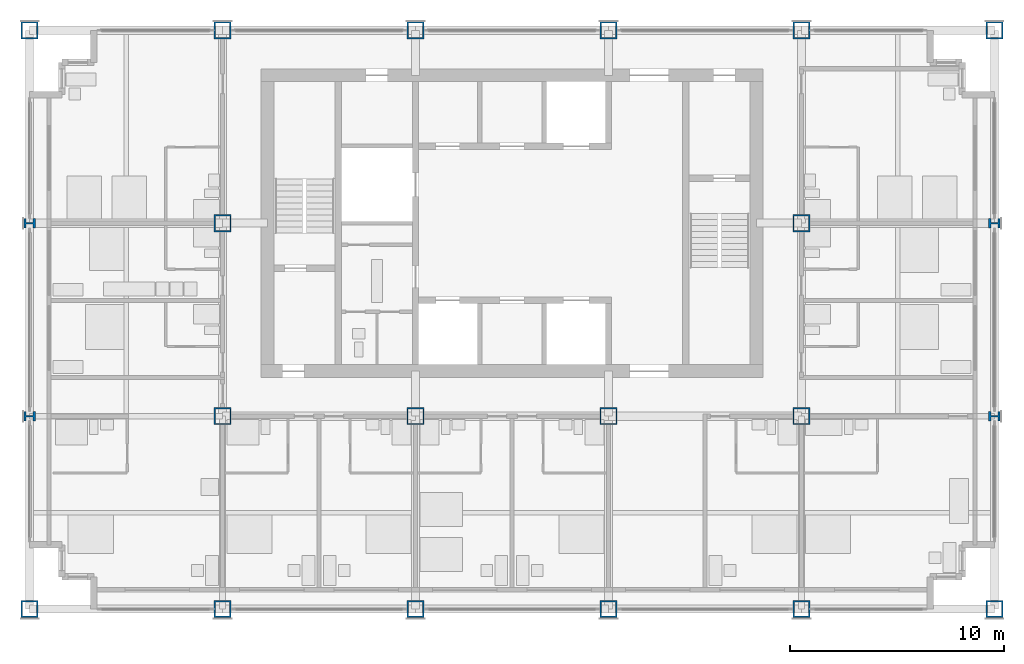
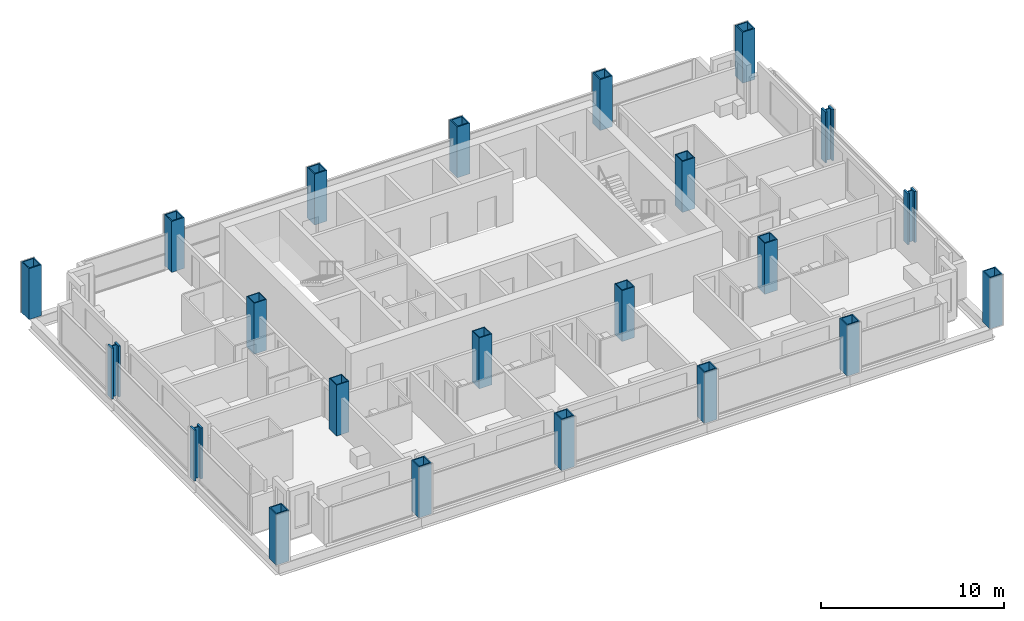
# One storey, part 1 of 14: 22 columns.
"""IFC4 building model written with IfcOpenShell, lengths in metres."""

from ifc_helpers import new_model, si_unit, direction, frame, origin, origin_2d, place, context, subcontext, project, spatial, hollow_rectangle, i_section, extrude, material, material_profile, profile_set, type_object, element, save


model = new_model("IFC4")

# Units and contexts
model_context = context("Model", 3, precision=1e-05, world=origin(), true_north=direction((0.0, 1.0)))
body_context = subcontext(model_context, "Body", "Model", "MODEL_VIEW")
ifc_project = project(units=[si_unit("LENGTHUNIT", "METRE"), si_unit("AREAUNIT", "SQUARE_METRE"), si_unit("VOLUMEUNIT", "CUBIC_METRE"), si_unit("PLANEANGLEUNIT", "RADIAN"), si_unit("MASSUNIT", "GRAM", prefix="KILO")], contexts=[model_context])

# Site, building, storey
site_placement = place(None, origin())
site = spatial("IfcSite", under=ifc_project, at=site_placement, CompositionType="ELEMENT")
building_placement = place(site_placement, origin())
building = spatial("IfcBuilding", under=site, at=building_placement, Name="Loomwork Tower", CompositionType="ELEMENT")
storey_placement = place(building_placement, frame((0.0, 0.0, 170.60009765625)))
storey = spatial("IfcBuildingStorey", under=building, at=storey_placement, Name="L46", CompositionType="ELEMENT", Elevation=170.60009765625)

# Columns
ifc_material_1 = material(Name="Steel ASTM A572 Grade 50 plate", Category="steel")
ifc_material_profile_1 = material_profile(ifc_material_1, hollow_rectangle(XDim=0.800048828125, YDim=0.800048828125, WallThickness=0.070068359375, at=origin_2d()), Name="BOX800x70")
ifc_profile_set_1 = profile_set([ifc_material_profile_1], Name="Steel ASTM A572 Grade 50 plate")
column_type_1 = type_object("IfcColumnType", Name="EXOSKELETON PIER BOX800x70", PredefinedType="COLUMN", material=ifc_profile_set_1)
for number, where, z_axis, x_axis, name in (
    (1, (0.0, 0.0, 0.0), (0.0, 0.0, 1.0), (1.0, 0.0, 0.0), "Exoskeleton Pier D/2 L46"),
    (2, (0.0, 27.0, 0.0), (0.0, 0.0, 1.0), (0.0, 1.0, 0.0), "Exoskeleton Pier G/2 L46"),
    (3, (9.0, 0.0, 0.0), (0.0, 0.0, 1.0), (1.0, 0.0, 0.0), "Exoskeleton Pier D/3 L46"),
    (4, (9.0, 27.0, 0.0), (0.0, 0.0, 1.0), (1.0, 0.0, 0.0), "Exoskeleton Pier G/3 L46"),
    (5, (18.0, 0.0, 0.0), (0.0, 0.0, 1.0), (1.0, 0.0, 0.0), "Exoskeleton Pier D/4 L46"),
    (6, (18.0, 27.0, 0.0), (0.0, 0.0, 1.0), (1.0, 0.0, 0.0), "Exoskeleton Pier G/4 L46"),
    (7, (27.0, 0.0, 0.0), (0.0, 0.0, 1.0), (1.0, 0.0, 0.0), "Exoskeleton Pier D/5 L46"),
    (8, (27.0, 27.0, 0.0), (0.0, 0.0, 1.0), (1.0, 0.0, 0.0), "Exoskeleton Pier G/5 L46"),
    (9, (36.0, 0.0, 0.0), (0.0, 0.0, 1.0), (1.0, 0.0, 0.0), "Exoskeleton Pier D/6 L46"),
    (10, (36.0, 27.0, 0.0), (0.0, 0.0, 1.0), (1.0, 0.0, 0.0), "Exoskeleton Pier G/6 L46"),
    (11, (45.0, 0.0, 0.0), (0.0, 0.0, 1.0), (1.0, 0.0, 0.0), "Exoskeleton Pier D/7 L46"),
    (12, (45.0, 27.0, 0.0), (0.0, 0.0, 1.0), (0.0, 1.0, 0.0), "Exoskeleton Pier G/7 L46"),
):
    element("IfcColumn", number, at=place(storey_placement, frame(where, z_axis=z_axis, x_axis=x_axis)), inside=storey, type_object=column_type_1, Name=name, PredefinedType="COLUMN", context=body_context, shape_type="SweptSolid", body=[
        extrude(hollow_rectangle(XDim=0.800048828125, YDim=0.800048828125, WallThickness=0.070068359375, at=origin_2d()), origin(), (0.0, 0.0, 1.0), 3.39990234375),
    ])
ifc_material_2 = material(Name="Steel ASTM A992", Category="steel")
ifc_material_profile_2 = material_profile(ifc_material_2, i_section(OverallWidth=0.449462890625, OverallDepth=0.548583984375, WebThickness=0.07177734375, FlangeThickness=0.11474609375, at=origin_2d()), Name="W14x665")
ifc_profile_set_2 = profile_set([ifc_material_profile_2], Name="Steel ASTM A992")
column_type_2 = type_object("IfcColumnType", Name="EXOSKELETON PIER W14x665", PredefinedType="COLUMN", material=ifc_profile_set_2)
for number, where, z_axis, x_axis, name in (
    (13, (0.0, 9.0, 0.0), (0.0, 0.0, 1.0), (0.0, 1.0, 0.0), "Exoskeleton Pier E/2 L46"),
    (14, (0.0, 18.0, 0.0), (0.0, 0.0, 1.0), (0.0, 1.0, 0.0), "Exoskeleton Pier F/2 L46"),
    (15, (45.0, 9.0, 0.0), (0.0, 0.0, 1.0), (0.0, 1.0, 0.0), "Exoskeleton Pier E/7 L46"),
    (16, (45.0, 18.0, 0.0), (0.0, 0.0, 1.0), (0.0, 1.0, 0.0), "Exoskeleton Pier F/7 L46"),
):
    element("IfcColumn", number, at=place(storey_placement, frame(where, z_axis=z_axis, x_axis=x_axis)), inside=storey, type_object=column_type_2, Name=name, PredefinedType="COLUMN", context=body_context, shape_type="SweptSolid", body=[
        extrude(i_section(OverallWidth=0.449462890625, OverallDepth=0.548583984375, WebThickness=0.07177734375, FlangeThickness=0.11474609375, at=origin_2d()), origin(), (0.0, 0.0, 1.0), 3.39990234375),
    ])
ifc_material_3 = material(Name="Steel ASTM A572 Grade 50 plate", Category="steel")
ifc_material_profile_3 = material_profile(ifc_material_3, hollow_rectangle(XDim=0.800048828125, YDim=0.800048828125, WallThickness=0.06005859375, at=origin_2d()), Name="BOX800x60")
ifc_profile_set_3 = profile_set([ifc_material_profile_3], Name="Steel ASTM A572 Grade 50 plate")
column_type_3 = type_object("IfcColumnType", Name="TOWER COLUMN BOX800x60", PredefinedType="COLUMN", material=ifc_profile_set_3)
for number, where, z_axis, x_axis, name in (
    (17, (9.0, 9.0, 0.0), (0.0, 0.0, 1.0), (1.0, 0.0, 0.0), "Tower Column E/3 L46"),
    (18, (9.0, 18.0, 0.0), (0.0, 0.0, 1.0), (1.0, 0.0, 0.0), "Tower Column F/3 L46"),
    (19, (18.0, 9.0, 0.0), (0.0, 0.0, 1.0), (1.0, 0.0, 0.0), "Tower Column E/4 L46"),
    (20, (27.0, 9.0, 0.0), (0.0, 0.0, 1.0), (1.0, 0.0, 0.0), "Tower Column E/5 L46"),
    (21, (36.0, 9.0, 0.0), (0.0, 0.0, 1.0), (0.0, 1.0, 0.0), "Tower Column E/6 L46"),
    (22, (36.0, 18.0, 0.0), (0.0, 0.0, 1.0), (0.0, 1.0, 0.0), "Tower Column F/6 L46"),
):
    element("IfcColumn", number, at=place(storey_placement, frame(where, z_axis=z_axis, x_axis=x_axis)), inside=storey, type_object=column_type_3, Name=name, PredefinedType="COLUMN", context=body_context, shape_type="SweptSolid", body=[
        extrude(hollow_rectangle(XDim=0.800048828125, YDim=0.800048828125, WallThickness=0.06005859375, at=origin_2d()), origin(), (0.0, 0.0, 1.0), 3.39990234375),
    ])

save(model, "model.ifc")
